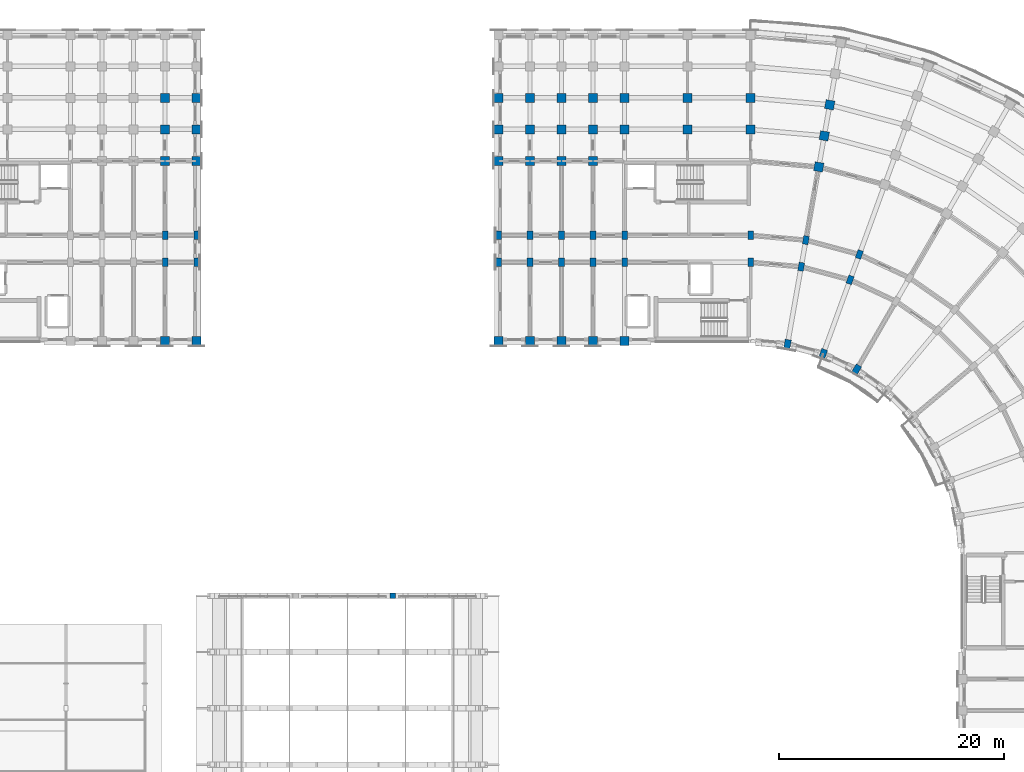
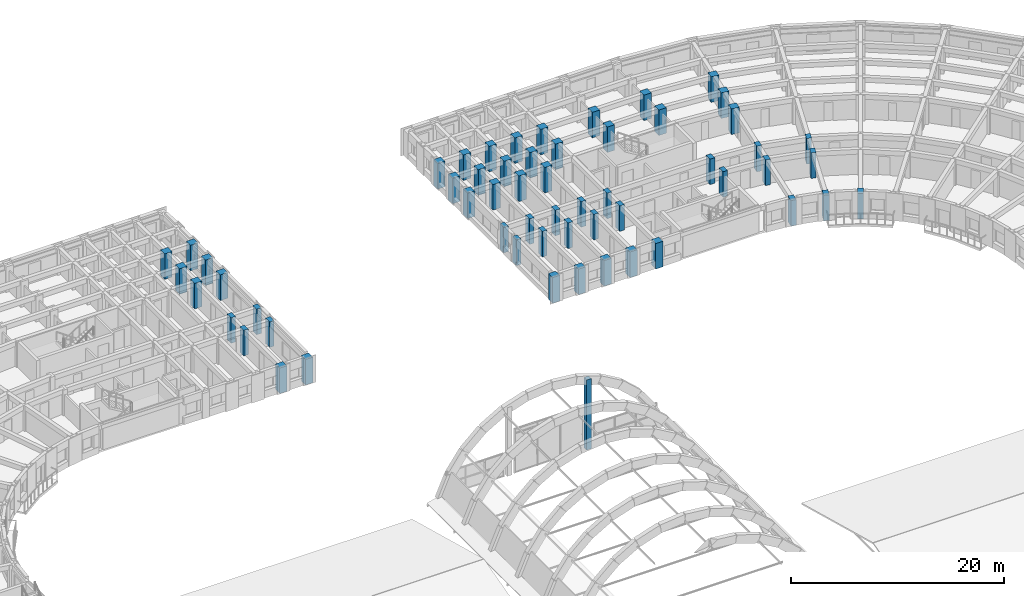
# One storey, part 7 of 76: 58 columns.
"""IFC4 building model written with IfcOpenShell, lengths in metres."""

from ifc_helpers import new_model, si_unit, direction, frame, origin, origin_2d, place, context, subcontext, project, spatial, rectangle, extrude, material, material_profile, profile_set, type_object, element, save


model = new_model("IFC4")

# Units and contexts
model_context = context("Model", 3, precision=1e-05, world=origin(), true_north=direction((0.0, 1.0)))
body_context = subcontext(model_context, "Body", "Model", "MODEL_VIEW")
ifc_project = project(units=[si_unit("LENGTHUNIT", "METRE"), si_unit("AREAUNIT", "SQUARE_METRE"), si_unit("VOLUMEUNIT", "CUBIC_METRE"), si_unit("PLANEANGLEUNIT", "RADIAN"), si_unit("MASSUNIT", "GRAM", prefix="KILO")], contexts=[model_context])

# Site, building, storey
site_placement = place(None, origin())
site = spatial("IfcSite", under=ifc_project, at=site_placement, CompositionType="ELEMENT")
building_placement = place(site_placement, origin())
building = spatial("IfcBuilding", under=site, at=building_placement, Name="Kiranvali Square Residences", CompositionType="ELEMENT")
storey_placement = place(building_placement, frame((0.0, 0.0, 8.699951171875)))
storey = spatial("IfcBuildingStorey", under=building, at=storey_placement, Name="L02", CompositionType="ELEMENT", Elevation=8.699951171875)

# Columns
ifc_material_1 = material(Name="Concrete M40 (40 MPa)", Category="concrete")
ifc_material_profile_1 = material_profile(ifc_material_1, rectangle(XDim=0.5, YDim=0.5, at=origin_2d()), Name="RC 500x500")
ifc_profile_set_1 = profile_set([ifc_material_profile_1], Name="Concrete M40 (40 MPa)")
column_type_1 = type_object("IfcColumnType", Name="COL-M40-500", PredefinedType="COLUMN", material=ifc_profile_set_1)
column_placement = place(storey_placement, frame((88.0, 84.0, 0.0), z_axis=(0.0, 0.0, 1.0), x_axis=(1.0, 0.0, 0.0)))
element("IfcColumn", 1, at=column_placement, inside=storey, type_object=column_type_1, Name="Community Hall N vault gable post 88.0", PredefinedType="COLUMN", context=body_context, shape_type="SweptSolid", body=[
    extrude(rectangle(XDim=0.5, YDim=0.5, at=origin_2d()), origin(), (0.0, 0.0, 1.0), 8.046875),
])
ifc_material_2 = material(Name="Concrete M45 (45 MPa)", Category="concrete")
ifc_material_profile_2 = material_profile(ifc_material_2, rectangle(XDim=0.5, YDim=0.75, at=origin_2d()), Name="RC 750x500")
ifc_profile_set_2 = profile_set([ifc_material_profile_2], Name="Concrete M45 (45 MPa)")
column_type_2 = type_object("IfcColumnType", Name="COL-M45-750x500", PredefinedType="COLUMN", material=ifc_profile_set_2)
for number, where, z_axis, x_axis, name in (
    (2, (67.800048828125, 113.60009765625, 0.0), (0.0, 0.0, 1.0), (1.0, 0.0, 0.0), "Block A L02 Arm 1 column U4-R1"),
    (3, (67.800048828125, 116.0, 0.0), (0.0, 0.0, 1.0), (1.0, 0.0, 0.0), "Block A L02 Arm 1 column U4-R2"),
    (4, (70.60009765625, 113.60009765625, 0.0), (0.0, 0.0, 1.0), (1.0, 0.0, 0.0), "Block A L02 Arm 1 column U5-R1"),
    (5, (70.60009765625, 116.0, 0.0), (0.0, 0.0, 1.0), (1.0, 0.0, 0.0), "Block A L02 Arm 1 column U5-R2"),
    (6, (119.800048828125, 113.60009765625, 0.0), (0.0, 0.0, 1.0), (1.0, 0.0, 0.0), "Block B L02 radial column A00-R1"),
    (7, (119.800048828125, 116.0, 0.0), (0.0, 0.0, 1.0), (1.0, 0.0, 0.0), "Block B L02 radial column A00-R2"),
    (8, (124.280029296875, 113.2080078125, 0.0), (0.0, 0.0, 1.0), (-0.984807753012, 0.173648177667, 0.0), "Block B L02 radial column A01-R1"),
    (9, (124.69677734375, 115.571533203125, 0.0), (0.0, 0.0, 1.0), (-0.984807753012, 0.173648177667, 0.0), "Block B L02 radial column A01-R2"),
    (10, (128.6240234375, 112.044189453125, 0.0), (0.0, 0.0, 1.0), (-0.939692620786, 0.342020143326, 0.0), "Block B L02 radial column A02-R1"),
    (11, (129.445068359375, 114.29931640625, 0.0), (0.0, 0.0, 1.0), (-0.939692620786, 0.342020143326, 0.0), "Block B L02 radial column A02-R2"),
    (12, (108.60009765625, 113.60009765625, 0.0), (0.0, 0.0, 1.0), (1.0, 0.0, 0.0), "Block B L02 Arm 1 column U1-R1"),
    (13, (108.60009765625, 116.0, 0.0), (0.0, 0.0, 1.0), (1.0, 0.0, 0.0), "Block B L02 Arm 1 column U1-R2"),
    (14, (105.800048828125, 113.60009765625, 0.0), (0.0, 0.0, 1.0), (1.0, 0.0, 0.0), "Block B L02 Arm 1 column U2-R1"),
    (15, (105.800048828125, 116.0, 0.0), (0.0, 0.0, 1.0), (1.0, 0.0, 0.0), "Block B L02 Arm 1 column U2-R2"),
    (16, (103.0, 113.60009765625, 0.0), (0.0, 0.0, 1.0), (1.0, 0.0, 0.0), "Block B L02 Arm 1 column U3-R1"),
    (17, (103.0, 116.0, 0.0), (0.0, 0.0, 1.0), (1.0, 0.0, 0.0), "Block B L02 Arm 1 column U3-R2"),
    (18, (100.199951171875, 113.60009765625, 0.0), (0.0, 0.0, 1.0), (1.0, 0.0, 0.0), "Block B L02 Arm 1 column U4-R1"),
    (19, (100.199951171875, 116.0, 0.0), (0.0, 0.0, 1.0), (1.0, 0.0, 0.0), "Block B L02 Arm 1 column U4-R2"),
    (20, (97.39990234375, 113.60009765625, 0.0), (0.0, 0.0, 1.0), (1.0, 0.0, 0.0), "Block B L02 Arm 1 column U5-R1"),
    (21, (97.39990234375, 116.0, 0.0), (0.0, 0.0, 1.0), (1.0, 0.0, 0.0), "Block B L02 Arm 1 column U5-R2"),
):
    element("IfcColumn", number, at=place(storey_placement, frame(where, z_axis=z_axis, x_axis=x_axis)), inside=storey, type_object=column_type_2, Name=name, PredefinedType="COLUMN", context=body_context, shape_type="SweptSolid", body=[
        extrude(rectangle(XDim=0.5, YDim=0.75, at=origin_2d()), origin(), (0.0, 0.0, 1.0), 2.929931640625),
    ])
ifc_material_3 = material(Name="Concrete M50 (50 MPa)", Category="concrete")
ifc_material_profile_3 = material_profile(ifc_material_3, rectangle(XDim=0.800048828125, YDim=0.800048828125, at=origin_2d()), Name="RC 800x800")
ifc_profile_set_3 = profile_set([ifc_material_profile_3], Name="Concrete M50 (50 MPa)")
column_type_3 = type_object("IfcColumnType", Name="COL-M50-800", PredefinedType="COLUMN", material=ifc_profile_set_3)
for number, where, z_axis, x_axis, name in (
    (22, (67.800048828125, 106.60009765625, 0.0), (0.0, 0.0, 1.0), (1.0, 0.0, 0.0), "Block A L02 Arm 1 column U4-R0"),
    (23, (67.800048828125, 122.60009765625, 0.0), (0.0, 0.0, 1.0), (1.0, 0.0, 0.0), "Block A L02 Arm 1 column U4-R3"),
    (24, (67.800048828125, 125.39990234375, 0.0), (0.0, 0.0, 1.0), (1.0, 0.0, 0.0), "Block A L02 Arm 1 column U4-R4"),
    (25, (67.800048828125, 128.199951171875, 0.0), (0.0, 0.0, 1.0), (1.0, 0.0, 0.0), "Block A L02 Arm 1 column U4-R5"),
    (26, (70.60009765625, 106.60009765625, 0.0), (0.0, 0.0, 1.0), (1.0, 0.0, 0.0), "Block A L02 Arm 1 column U5-R0"),
    (27, (70.60009765625, 122.60009765625, 0.0), (0.0, 0.0, 1.0), (1.0, 0.0, 0.0), "Block A L02 Arm 1 column U5-R3"),
    (28, (70.60009765625, 125.39990234375, 0.0), (0.0, 0.0, 1.0), (1.0, 0.0, 0.0), "Block A L02 Arm 1 column U5-R4"),
    (29, (70.60009765625, 128.199951171875, 0.0), (0.0, 0.0, 1.0), (1.0, 0.0, 0.0), "Block A L02 Arm 1 column U5-R5"),
    (30, (119.800048828125, 125.39990234375, 0.0), (0.0, 0.0, 1.0), (1.0, 0.0, 0.0), "Block B L02 radial column A00-R4"),
    (31, (119.800048828125, 128.199951171875, 0.0), (0.0, 0.0, 1.0), (1.0, 0.0, 0.0), "Block B L02 radial column A00-R5"),
    (32, (125.843017578125, 122.0712890625, 0.0), (0.0, 0.0, 1.0), (-0.984807753012, 0.173648177667, 0.0), "Block B L02 radial column A01-R3"),
    (33, (126.3291015625, 124.828857421875, 0.0), (0.0, 0.0, 1.0), (-0.984807753012, 0.173648177667, 0.0), "Block B L02 radial column A01-R4"),
    (34, (126.8154296875, 127.586181640625, 0.0), (0.0, 0.0, 1.0), (-0.984807753012, 0.173648177667, 0.0), "Block B L02 radial column A01-R5"),
    (35, (114.199951171875, 125.39990234375, 0.0), (0.0, 0.0, 1.0), (1.0, 0.0, 0.0), "Block B L02 core-front column U0-R4"),
    (36, (114.199951171875, 128.199951171875, 0.0), (0.0, 0.0, 1.0), (1.0, 0.0, 0.0), "Block B L02 core-front column U0-R5"),
    (37, (108.60009765625, 106.60009765625, 0.0), (0.0, 0.0, 1.0), (1.0, 0.0, 0.0), "Block B L02 Arm 1 column U1-R0"),
    (38, (108.60009765625, 125.39990234375, 0.0), (0.0, 0.0, 1.0), (1.0, 0.0, 0.0), "Block B L02 Arm 1 column U1-R4"),
    (39, (108.60009765625, 128.199951171875, 0.0), (0.0, 0.0, 1.0), (1.0, 0.0, 0.0), "Block B L02 Arm 1 column U1-R5"),
    (40, (105.800048828125, 106.60009765625, 0.0), (0.0, 0.0, 1.0), (1.0, 0.0, 0.0), "Block B L02 Arm 1 column U2-R0"),
    (41, (105.800048828125, 122.60009765625, 0.0), (0.0, 0.0, 1.0), (1.0, 0.0, 0.0), "Block B L02 Arm 1 column U2-R3"),
    (42, (105.800048828125, 125.39990234375, 0.0), (0.0, 0.0, 1.0), (1.0, 0.0, 0.0), "Block B L02 Arm 1 column U2-R4"),
    (43, (105.800048828125, 128.199951171875, 0.0), (0.0, 0.0, 1.0), (1.0, 0.0, 0.0), "Block B L02 Arm 1 column U2-R5"),
    (44, (103.0, 106.60009765625, 0.0), (0.0, 0.0, 1.0), (1.0, 0.0, 0.0), "Block B L02 Arm 1 column U3-R0"),
    (45, (103.0, 122.60009765625, 0.0), (0.0, 0.0, 1.0), (1.0, 0.0, 0.0), "Block B L02 Arm 1 column U3-R3"),
    (46, (103.0, 125.39990234375, 0.0), (0.0, 0.0, 1.0), (1.0, 0.0, 0.0), "Block B L02 Arm 1 column U3-R4"),
    (47, (103.0, 128.199951171875, 0.0), (0.0, 0.0, 1.0), (1.0, 0.0, 0.0), "Block B L02 Arm 1 column U3-R5"),
    (48, (100.199951171875, 106.60009765625, 0.0), (0.0, 0.0, 1.0), (1.0, 0.0, 0.0), "Block B L02 Arm 1 column U4-R0"),
    (49, (100.199951171875, 122.60009765625, 0.0), (0.0, 0.0, 1.0), (1.0, 0.0, 0.0), "Block B L02 Arm 1 column U4-R3"),
    (50, (100.199951171875, 125.39990234375, 0.0), (0.0, 0.0, 1.0), (1.0, 0.0, 0.0), "Block B L02 Arm 1 column U4-R4"),
    (51, (100.199951171875, 128.199951171875, 0.0), (0.0, 0.0, 1.0), (1.0, 0.0, 0.0), "Block B L02 Arm 1 column U4-R5"),
    (52, (97.39990234375, 106.60009765625, 0.0), (0.0, 0.0, 1.0), (1.0, 0.0, 0.0), "Block B L02 Arm 1 column U5-R0"),
    (53, (97.39990234375, 122.60009765625, 0.0), (0.0, 0.0, 1.0), (1.0, 0.0, 0.0), "Block B L02 Arm 1 column U5-R3"),
    (54, (97.39990234375, 125.39990234375, 0.0), (0.0, 0.0, 1.0), (1.0, 0.0, 0.0), "Block B L02 Arm 1 column U5-R4"),
    (55, (97.39990234375, 128.199951171875, 0.0), (0.0, 0.0, 1.0), (1.0, 0.0, 0.0), "Block B L02 Arm 1 column U5-R5"),
):
    element("IfcColumn", number, at=place(storey_placement, frame(where, z_axis=z_axis, x_axis=x_axis)), inside=storey, type_object=column_type_3, Name=name, PredefinedType="COLUMN", context=body_context, shape_type="SweptSolid", body=[
        extrude(rectangle(XDim=0.800048828125, YDim=0.800048828125, at=origin_2d()), origin(), (0.0, 0.0, 1.0), 2.929931640625),
    ])
ifc_material_profile_4 = material_profile(ifc_material_3, rectangle(XDim=0.550048828125, YDim=0.85009765625, at=origin_2d()), Name="RC 850x550")
ifc_profile_set_4 = profile_set([ifc_material_profile_4], Name="Concrete M50 (50 MPa)")
column_type_4 = type_object("IfcColumnType", Name="COL-M50-850x550", PredefinedType="COLUMN", material=ifc_profile_set_4)
for number, where, z_axis, x_axis, name in (
    (56, (123.064697265625, 106.314453125, 0.0), (0.0, 0.0, 1.0), (-0.984807753012, 0.173648177667, 0.0), "Block B L02 radial column A01-R0"),
    (57, (126.22998046875, 105.46630859375, 0.0), (0.0, 0.0, 1.0), (-0.939692620786, 0.342020143326, 0.0), "Block B L02 radial column A02-R0"),
    (58, (129.199951171875, 104.081298828125, 0.0), (0.0, 0.0, 1.0), (-0.866025403784, 0.5, 0.0), "Block B L02 radial column A03-R0"),
):
    element("IfcColumn", number, at=place(storey_placement, frame(where, z_axis=z_axis, x_axis=x_axis)), inside=storey, type_object=column_type_4, Name=name, PredefinedType="COLUMN", context=body_context, shape_type="SweptSolid", body=[
        extrude(rectangle(XDim=0.550048828125, YDim=0.85009765625, at=origin_2d()), origin(), (0.0, 0.0, 1.0), 2.929931640625),
    ])

save(model, "model.ifc")
